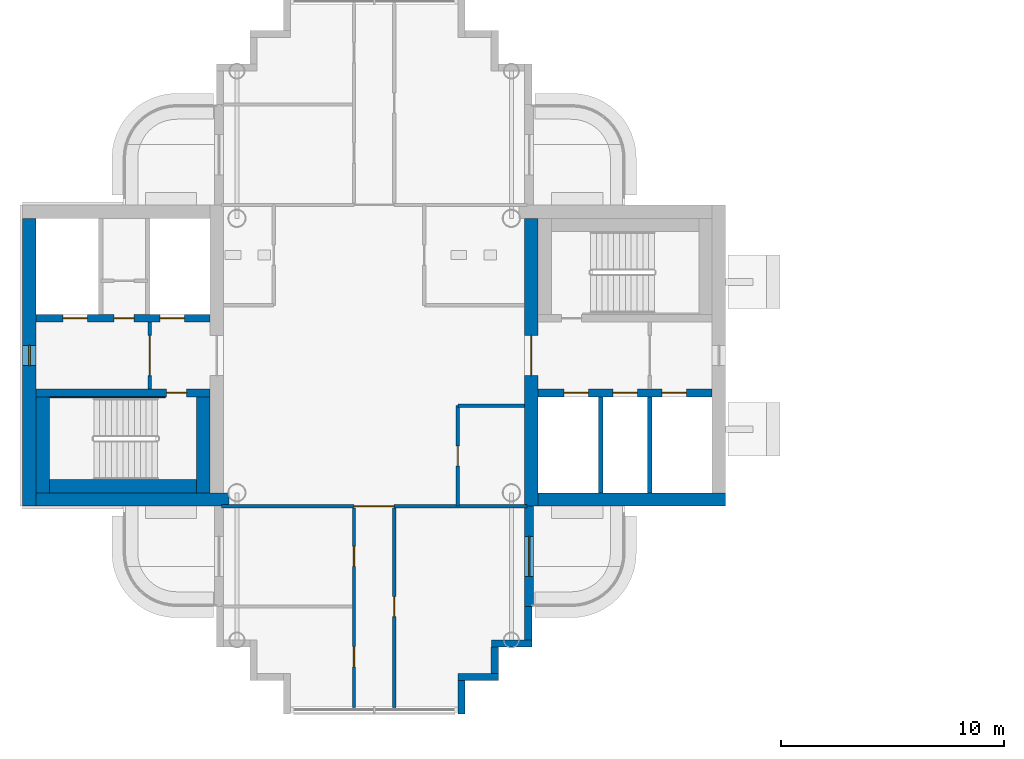
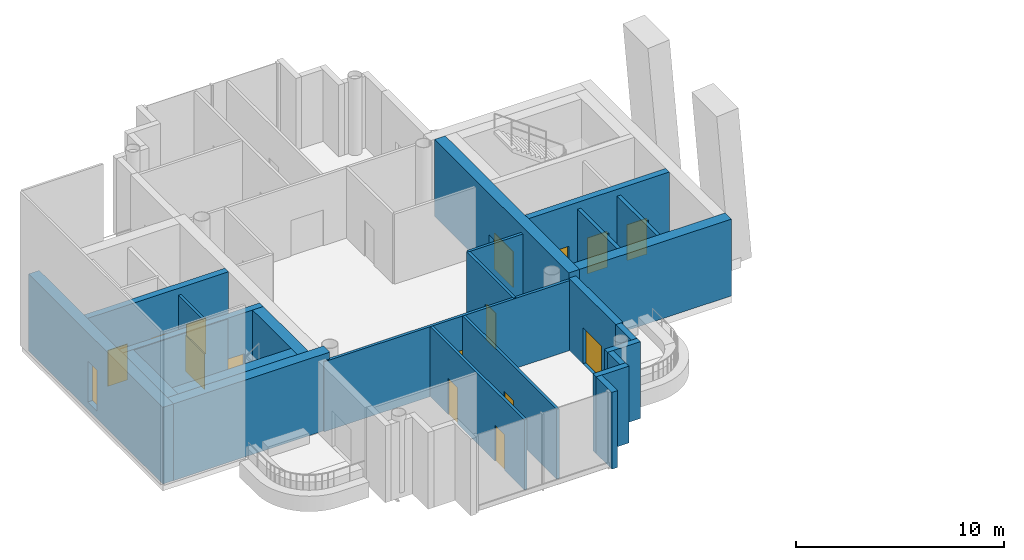
# One storey, part 7 of 19: 25 walls, 15 doors, 1 window, 16 openings.
"""IFC4 building model written with IfcOpenShell, lengths in metres."""

from ifc_helpers import new_model, si_unit, direction, frame, frame_2d, origin, place, context, subcontext, project, spatial, rectangle, extrude, material, layer, layer_set, type_object, element, fill, save


model = new_model("IFC4")

# Units and contexts
model_context = context("Model", 3, precision=1e-05, world=origin(), true_north=direction((0.0, 1.0)))
body_context = subcontext(model_context, "Body", "Model", "MODEL_VIEW")
ifc_project = project(units=[si_unit("LENGTHUNIT", "METRE"), si_unit("AREAUNIT", "SQUARE_METRE"), si_unit("VOLUMEUNIT", "CUBIC_METRE"), si_unit("PLANEANGLEUNIT", "RADIAN"), si_unit("MASSUNIT", "GRAM", prefix="KILO")], contexts=[model_context])

# Site, building, storey
site_placement = place(None, origin())
site = spatial("IfcSite", under=ifc_project, at=site_placement, CompositionType="ELEMENT")
building_placement = place(site_placement, origin())
building = spatial("IfcBuilding", under=site, at=building_placement, Name="Ipe Terrace Towers", CompositionType="ELEMENT")
storey_placement = place(building_placement, frame((0.0, 0.0, 237.89990234375)))
storey = spatial("IfcBuildingStorey", under=building, at=storey_placement, Name="L66", CompositionType="ELEMENT", Elevation=237.89990234375)

# Wall, opening, door
ifc_material_1 = material(Name="Concrete C40/50 with buff precast cladding", Category="concrete")
ifc_layer_1 = layer(ifc_material_1, 0.39990234375)
ifc_layer_set_1 = layer_set([ifc_layer_1], Name="BALCONY BAY WALL 400")
wall_type_1 = type_object("IfcWallType", Name="BALCONY BAY WALL 400", PredefinedType="STANDARD", material=ifc_layer_set_1)
wall_1_placement = place(storey_placement, frame((-29.050048828125, -11.25, -0.02001953125), z_axis=(0.0, 0.0, 1.0), x_axis=(0.0, 1.0, 0.0)))
wall_1 = element("IfcWall", 1, at=wall_1_placement, inside=storey, type_object=wall_type_1, Name="T1-W-L66-14a wall", PredefinedType="STANDARD", context=body_context, shape_type="SweptSolid", body=[
    extrude(rectangle(XDim=4.5, YDim=0.39990234375, at=frame_2d((2.25, 0.0))), origin(), (0.0, 0.0, 1.0), 4.22021484375),
])
opening_1_placement = place(wall_1_placement, frame((1.35009765625, 0.0, 0.02001953125)))
opening_1 = element("IfcOpeningElement", 2, at=opening_1_placement, cuts=wall_1, Name="Opening T1-D-L66-14", PredefinedType="OPENING", context=body_context, shape_type="SweptSolid", body=[
    extrude(rectangle(XDim=1.800048828125, YDim=2.10009765625, at=frame_2d((0.89990234375, 1.050048828125))), frame((0.0, 0.2099609375, 0.0), z_axis=(0.0, -1.0, 0.0), x_axis=(1.0, 0.0, 0.0)), (0.0, 0.0, 1.0), 0.419921875),
])
ifc_material_2 = material(Name="Aluminium alloy 6063-T6 framed glazed door", Category="aluminium")
door_type_1 = type_object("IfcDoorType", Name="BALCONY DOOR 1800 x 2100 LEFT", OperationType="SINGLE_SWING_LEFT", PredefinedType="DOOR", material=ifc_material_2)
door_1_placement = place(opening_1_placement, origin())
door_1 = element("IfcDoor", 3, at=door_1_placement, inside=storey, type_object=door_type_1, Name="DB1 door", OperationType="SINGLE_SWING_LEFT", OverallHeight=2.10009765625, OverallWidth=1.800048828125, PredefinedType="DOOR", context=body_context, shape_type="SweptSolid", body=[
    extrude(rectangle(XDim=1.800048828125, YDim=2.10009765625, at=frame_2d((0.89990234375, 1.050048828125))), frame((0.0, 0.02490234375, 0.0), z_axis=(0.0, -1.0, 0.0), x_axis=(1.0, 0.0, 0.0)), (0.0, 0.0, 1.0), 0.050048828125),
])
fill(opening_1, door_1)

# Walls
ifc_material_3 = material(Name="Concrete C40/50 with buff precast cladding", Category="concrete")
ifc_layer_2 = layer(ifc_material_3, 0.320068359375)
ifc_layer_set_2 = layer_set([ifc_layer_2], Name="BUFF CLADDING WALL 320")
wall_type_2 = type_object("IfcWallType", Name="BUFF CLADDING WALL 320", PredefinedType="STANDARD", material=ifc_layer_set_2)
wall_2_placement = place(storey_placement, frame((-32.090087890625, -16.070068359375, -0.2998046875), z_axis=(0.0, 0.0, 1.0), x_axis=(0.0, 1.0, 0.0)))
element("IfcWall", 4, at=wall_2_placement, inside=storey, type_object=wall_type_2, Name="T1-W-L66-09a wall", PredefinedType="STANDARD", context=body_context, shape_type="SweptSolid", body=[
    extrude(rectangle(XDim=1.5, YDim=0.320068359375, at=frame_2d((0.75, 0.0))), origin(), (0.0, 0.0, 1.0), 4.5),
])
wall_3_placement = place(storey_placement, frame((-32.25, -14.409912109375, -0.2998046875), z_axis=(0.0, 0.0, 1.0), x_axis=(1.0, 0.0, 0.0)))
element("IfcWall", 5, at=wall_3_placement, inside=storey, type_object=wall_type_2, Name="T1-W-L66-10a wall", PredefinedType="STANDARD", context=body_context, shape_type="SweptSolid", body=[
    extrude(rectangle(XDim=1.820068359375, YDim=0.320068359375, at=frame_2d((0.91015625, 0.0))), origin(), (0.0, 0.0, 1.0), 4.5),
])
wall_4_placement = place(storey_placement, frame((-30.590087890625, -14.25, -0.2998046875), z_axis=(0.0, 0.0, 1.0), x_axis=(0.0, 1.0, 0.0)))
element("IfcWall", 6, at=wall_4_placement, inside=storey, type_object=wall_type_2, Name="T1-W-L66-11a wall", PredefinedType="STANDARD", context=body_context, shape_type="SweptSolid", body=[
    extrude(rectangle(XDim=1.179931640625, YDim=0.320068359375, at=frame_2d((0.58984375, 0.0))), origin(), (0.0, 0.0, 1.0), 4.5),
])
wall_5_placement = place(storey_placement, frame((-30.75, -12.909912109375, -0.2998046875), z_axis=(0.0, 0.0, 1.0), x_axis=(1.0, 0.0, 0.0)))
element("IfcWall", 7, at=wall_5_placement, inside=storey, type_object=wall_type_2, Name="T1-W-L66-12a wall", PredefinedType="STANDARD", context=body_context, shape_type="SweptSolid", body=[
    extrude(rectangle(XDim=1.820068359375, YDim=0.320068359375, at=frame_2d((0.91015625, 0.0))), origin(), (0.0, 0.0, 1.0), 4.5),
])
wall_6_placement = place(storey_placement, frame((-29.090087890625, -12.75, -0.2998046875), z_axis=(0.0, 0.0, 1.0), x_axis=(0.0, 1.0, 0.0)))
element("IfcWall", 8, at=wall_6_placement, inside=storey, type_object=wall_type_2, Name="T1-W-L66-13a wall", PredefinedType="STANDARD", context=body_context, shape_type="SweptSolid", body=[
    extrude(rectangle(XDim=1.5, YDim=0.320068359375, at=frame_2d((0.75, 0.0))), origin(), (0.0, 0.0, 1.0), 4.5),
])

# Wall, opening, door
ifc_material_4 = material(Name="Gypsum board partition", Category="plasterboard")
ifc_layer_3 = layer(ifc_material_4, 0.14990234375)
ifc_layer_set_3 = layer_set([ifc_layer_3], Name="Gypsum board partition 150 mm")
wall_type_3 = type_object("IfcWallType", Name="Gypsum board partition 150 mm", PredefinedType="PARTITIONING", material=ifc_layer_set_3)
wall_7_placement = place(storey_placement, frame((-46.050048828125, 1.5, 0.0), z_axis=(0.0, 0.0, 1.0), x_axis=(0.0, -1.0, 0.0)))
wall_7 = element("IfcWall", 9, at=wall_7_placement, inside=storey, type_object=wall_type_3, Name="Gypsum board partition T1 L66 t1c2-lobby-wall", PredefinedType="PARTITIONING", context=body_context, shape_type="SweptSolid", body=[
    extrude(rectangle(XDim=3.0, YDim=0.14990234375, at=frame_2d((1.5, 0.0))), origin(), (0.0, 0.0, 1.0), 4.10009765625),
])
opening_2_placement = place(wall_7_placement, frame((0.60009765625, 0.0, 0.0)))
opening_2 = element("IfcOpeningElement", 10, at=opening_2_placement, cuts=wall_7, Name="Opening T1C2-VD", PredefinedType="OPENING", context=body_context, shape_type="SweptSolid", body=[
    extrude(rectangle(XDim=1.800048828125, YDim=2.10009765625, at=frame_2d((0.89990234375, 1.050048828125))), frame((0.0, 0.0849609375, 0.0), z_axis=(0.0, -1.0, 0.0), x_axis=(1.0, 0.0, 0.0)), (0.0, 0.0, 1.0), 0.169921875),
])
ifc_material_5 = material(Name="Fire-rated timber door leaf", Category="wood")
door_type_2 = type_object("IfcDoorType", Name="Lobby door 1800 x 2100 FD60", OperationType="NOTDEFINED", PredefinedType="DOOR", material=ifc_material_5)
door_2_placement = place(opening_2_placement, origin())
door_2 = element("IfcDoor", 11, at=door_2_placement, inside=storey, type_object=door_type_2, Name="Lobby door T1C2-VD", OperationType="SINGLE_SWING_LEFT", OverallHeight=2.10009765625, OverallWidth=1.800048828125, PredefinedType="DOOR", context=body_context, shape_type="SweptSolid", body=[
    extrude(rectangle(XDim=1.800048828125, YDim=2.10009765625, at=frame_2d((0.89990234375, 1.050048828125))), frame((0.0, 0.02490234375, 0.0), z_axis=(0.0, -1.0, 0.0), x_axis=(1.0, 0.0, 0.0)), (0.0, 0.0, 1.0), 0.050048828125),
])
fill(opening_2, door_2)

wall_8_placement = place(storey_placement, frame((-32.25, -6.75, 0.0), z_axis=(0.0, 0.0, 1.0), x_axis=(0.0, 1.0, 0.0)))
wall_8 = element("IfcWall", 12, at=wall_8_placement, inside=storey, type_object=wall_type_3, Name="Gypsum board partition T1 L66 sp-cse-x", PredefinedType="PARTITIONING", context=body_context, shape_type="SweptSolid", body=[
    extrude(rectangle(XDim=4.5, YDim=0.14990234375, at=frame_2d((2.25, 0.0))), origin(), (0.0, 0.0, 1.0), 4.10009765625),
])
opening_3_placement = place(wall_8_placement, frame((1.800048828125, 0.0, 0.0)))
opening_3 = element("IfcOpeningElement", 13, at=opening_3_placement, cuts=wall_8, Name="Opening T1-SP-CSE", PredefinedType="OPENING", context=body_context, shape_type="SweptSolid", body=[
    extrude(rectangle(XDim=0.89990234375, YDim=2.10009765625, at=frame_2d((0.449951171875, 1.050048828125))), frame((0.0, 0.0849609375, 0.0), z_axis=(0.0, -1.0, 0.0), x_axis=(1.0, 0.0, 0.0)), (0.0, 0.0, 1.0), 0.169921875),
])
ifc_material_6 = material(Name="Timber door leaf", Category="wood")
door_type_3 = type_object("IfcDoorType", Name="Service door 900 x 2100", OperationType="NOTDEFINED", PredefinedType="DOOR", material=ifc_material_6)
door_3_placement = place(opening_3_placement, origin())
door_3 = element("IfcDoor", 14, at=door_3_placement, inside=storey, type_object=door_type_3, Name="Service door T1-SP-CSE", OperationType="SINGLE_SWING_RIGHT", OverallHeight=2.10009765625, OverallWidth=0.89990234375, PredefinedType="DOOR", context=body_context, shape_type="SweptSolid", body=[
    extrude(rectangle(XDim=0.89990234375, YDim=2.10009765625, at=frame_2d((0.449951171875, 1.050048828125))), frame((0.0, 0.02490234375, 0.0), z_axis=(0.0, -1.0, 0.0), x_axis=(1.0, 0.0, 0.0)), (0.0, 0.0, 1.0), 0.050048828125),
])
fill(opening_3, door_3)

# Wall
wall_9_placement = place(storey_placement, frame((-32.25, -2.25, 0.0), z_axis=(0.0, 0.0, 1.0), x_axis=(1.0, 0.0, 0.0)))
element("IfcWall", 15, at=wall_9_placement, inside=storey, type_object=wall_type_3, Name="Gypsum board partition T1 L66 sp-cse-y", PredefinedType="PARTITIONING", context=body_context, shape_type="SweptSolid", body=[
    extrude(rectangle(XDim=3.0, YDim=0.14990234375, at=frame_2d((1.5, 0.0))), origin(), (0.0, 0.0, 1.0), 4.10009765625),
])

# Wall, opening, door
wall_10_placement = place(storey_placement, frame((-42.85009765625, -6.75, 0.0), z_axis=(0.0, 0.0, 1.0), x_axis=(1.0, 0.0, 0.0)))
wall_10 = element("IfcWall", 16, at=wall_10_placement, inside=storey, type_object=wall_type_3, Name="Gypsum board partition T1 L66 sp-Sm-mouth", PredefinedType="PARTITIONING", context=body_context, shape_type="SweptSolid", body=[
    extrude(rectangle(XDim=13.7001953125, YDim=0.14990234375, at=frame_2d((6.85009765625, 0.0))), origin(), (0.0, 0.0, 1.0), 4.10009765625),
])
opening_4_placement = place(wall_10_placement, frame((5.949951171875, 0.0, 0.0)))
opening_4 = element("IfcOpeningElement", 17, at=opening_4_placement, cuts=wall_10, Name="Opening T1-SP-MSm", PredefinedType="OPENING", context=body_context, shape_type="SweptSolid", body=[
    extrude(rectangle(XDim=1.800048828125, YDim=2.10009765625, at=frame_2d((0.89990234375, 1.050048828125))), frame((0.0, 0.0849609375, 0.0), z_axis=(0.0, -1.0, 0.0), x_axis=(1.0, 0.0, 0.0)), (0.0, 0.0, 1.0), 0.169921875),
])
ifc_material_7 = material(Name="Fire-rated timber door leaf", Category="wood")
door_type_4 = type_object("IfcDoorType", Name="Lobby door 1800 x 2100 FD30S", OperationType="NOTDEFINED", PredefinedType="DOOR", material=ifc_material_7)
door_4_placement = place(opening_4_placement, origin())
door_4 = element("IfcDoor", 18, at=door_4_placement, inside=storey, type_object=door_type_4, Name="Lobby door T1-SP-MSm", OperationType="SINGLE_SWING_RIGHT", OverallHeight=2.10009765625, OverallWidth=1.800048828125, PredefinedType="DOOR", context=body_context, shape_type="SweptSolid", body=[
    extrude(rectangle(XDim=1.800048828125, YDim=2.10009765625, at=frame_2d((0.89990234375, 1.050048828125))), frame((0.0, 0.02490234375, 0.0), z_axis=(0.0, -1.0, 0.0), x_axis=(1.0, 0.0, 0.0)), (0.0, 0.0, 1.0), 0.050048828125),
])
fill(opening_4, door_4)

wall_11_placement = place(storey_placement, frame((-35.10009765625, -15.85009765625, 0.0), z_axis=(0.0, 0.0, 1.0), x_axis=(0.0, 1.0, 0.0)))
wall_11 = element("IfcWall", 19, at=wall_11_placement, inside=storey, type_object=wall_type_3, Name="Gypsum board partition T1 L66 sp-Sm-wp", PredefinedType="PARTITIONING", context=body_context, shape_type="SweptSolid", body=[
    extrude(rectangle(XDim=9.025146484375, YDim=0.14990234375, at=frame_2d((4.5126953125, 0.0))), origin(), (0.0, 0.0, 1.0), 4.10009765625),
])
opening_5_placement = place(wall_11_placement, frame((4.14990234375, 0.0, 0.0)))
opening_5 = element("IfcOpeningElement", 20, at=opening_5_placement, cuts=wall_11, Name="Opening T1-SP-PSm1", PredefinedType="OPENING", context=body_context, shape_type="SweptSolid", body=[
    extrude(rectangle(XDim=0.89990234375, YDim=2.10009765625, at=frame_2d((0.449951171875, 1.050048828125))), frame((0.0, 0.0849609375, 0.0), z_axis=(0.0, -1.0, 0.0), x_axis=(1.0, 0.0, 0.0)), (0.0, 0.0, 1.0), 0.169921875),
])
ifc_material_8 = material(Name="Fire-rated timber door leaf", Category="wood")
door_type_5 = type_object("IfcDoorType", Name="Lounge door 900 x 2100 FD30S", OperationType="NOTDEFINED", PredefinedType="DOOR", material=ifc_material_8)
door_5_placement = place(opening_5_placement, origin())
door_5 = element("IfcDoor", 21, at=door_5_placement, inside=storey, type_object=door_type_5, Name="Lounge door T1-SP-PSm1", OperationType="SINGLE_SWING_LEFT", OverallHeight=2.10009765625, OverallWidth=0.89990234375, PredefinedType="DOOR", context=body_context, shape_type="SweptSolid", body=[
    extrude(rectangle(XDim=0.89990234375, YDim=2.10009765625, at=frame_2d((0.449951171875, 1.050048828125))), frame((0.0, 0.02490234375, 0.0), z_axis=(0.0, -1.0, 0.0), x_axis=(1.0, 0.0, 0.0)), (0.0, 0.0, 1.0), 0.050048828125),
])
fill(opening_5, door_5)

# Wall, openings, doors
wall_12_placement = place(storey_placement, frame((-36.89990234375, -15.85009765625, 0.0), z_axis=(0.0, 0.0, 1.0), x_axis=(0.0, 1.0, 0.0)))
wall_12 = element("IfcWall", 22, at=wall_12_placement, inside=storey, type_object=wall_type_3, Name="Gypsum board partition T1 L66 sp-Sm-wm", PredefinedType="PARTITIONING", context=body_context, shape_type="SweptSolid", body=[
    extrude(rectangle(XDim=9.025146484375, YDim=0.14990234375, at=frame_2d((4.5126953125, 0.0))), origin(), (0.0, 0.0, 1.0), 4.10009765625),
])
opening_6_placement = place(wall_12_placement, frame((1.89990234375, 0.0, 0.0)))
opening_6 = element("IfcOpeningElement", 23, at=opening_6_placement, cuts=wall_12, Name="Opening T1-SP-MSm1", PredefinedType="OPENING", context=body_context, shape_type="SweptSolid", body=[
    extrude(rectangle(XDim=0.89990234375, YDim=2.10009765625, at=frame_2d((0.449951171875, 1.050048828125))), frame((0.0, 0.0849609375, 0.0), z_axis=(0.0, -1.0, 0.0), x_axis=(1.0, 0.0, 0.0)), (0.0, 0.0, 1.0), 0.169921875),
])
opening_7_placement = place(wall_12_placement, frame((6.39990234375, 0.0, 0.0)))
opening_7 = element("IfcOpeningElement", 24, at=opening_7_placement, cuts=wall_12, Name="Opening T1-SP-MSm2", PredefinedType="OPENING", context=body_context, shape_type="SweptSolid", body=[
    extrude(rectangle(XDim=0.89990234375, YDim=2.10009765625, at=frame_2d((0.449951171875, 1.050048828125))), frame((0.0, 0.0849609375, 0.0), z_axis=(0.0, -1.0, 0.0), x_axis=(1.0, 0.0, 0.0)), (0.0, 0.0, 1.0), 0.169921875),
])
door_6_placement = place(opening_6_placement, origin())
door_6 = element("IfcDoor", 25, at=door_6_placement, inside=storey, type_object=door_type_5, Name="Lounge door T1-SP-MSm1", OperationType="SINGLE_SWING_RIGHT", OverallHeight=2.10009765625, OverallWidth=0.89990234375, PredefinedType="DOOR", context=body_context, shape_type="SweptSolid", body=[
    extrude(rectangle(XDim=0.89990234375, YDim=2.10009765625, at=frame_2d((0.449951171875, 1.050048828125))), frame((0.0, 0.02490234375, 0.0), z_axis=(0.0, -1.0, 0.0), x_axis=(1.0, 0.0, 0.0)), (0.0, 0.0, 1.0), 0.050048828125),
])
fill(opening_6, door_6)
door_7_placement = place(opening_7_placement, origin())
door_7 = element("IfcDoor", 26, at=door_7_placement, inside=storey, type_object=door_type_5, Name="Lounge door T1-SP-MSm2", OperationType="SINGLE_SWING_LEFT", OverallHeight=2.10009765625, OverallWidth=0.89990234375, PredefinedType="DOOR", context=body_context, shape_type="SweptSolid", body=[
    extrude(rectangle(XDim=0.89990234375, YDim=2.10009765625, at=frame_2d((0.449951171875, 1.050048828125))), frame((0.0, 0.02490234375, 0.0), z_axis=(0.0, -1.0, 0.0), x_axis=(1.0, 0.0, 0.0)), (0.0, 0.0, 1.0), 0.050048828125),
])
fill(opening_7, door_7)

# Walls
ifc_material_9 = material(Name="Gypsum board party wall", Category="plasterboard")
ifc_layer_4 = layer(ifc_material_9, 0.199951171875)
ifc_layer_set_4 = layer_set([ifc_layer_4], Name="Gypsum board party wall 200 mm")
wall_type_4 = type_object("IfcWallType", Name="Gypsum board party wall 200 mm", PredefinedType="SOLIDWALL", material=ifc_layer_set_4)
for number, where, z_axis, x_axis, name in (
    (27, (-25.85009765625, -6.14990234375, 0.0), (0.0, 0.0, 1.0), (0.0, 1.0, 0.0), "Gypsum board party wall T1 L66 t1c1-shaft-div1"),
    (28, (-23.64990234375, -6.14990234375, 0.0), (0.0, 0.0, 1.0), (0.0, 1.0, 0.0), "Gypsum board party wall T1 L66 t1c1-shaft-div2"),
):
    element("IfcWall", number, at=place(storey_placement, frame(where, z_axis=z_axis, x_axis=x_axis)), inside=storey, type_object=wall_type_4, Name=name, PredefinedType="SOLIDWALL", context=body_context, shape_type="SweptSolid", body=[
        extrude(rectangle(XDim=4.2998046875, YDim=0.199951171875, at=frame_2d((2.14990234375, 0.0))), origin(), (0.0, 0.0, 1.0), 4.10009765625),
    ])

# Wall, openings, doors
ifc_material_10 = material(Name="Concrete C40/50", Category="concrete")
ifc_layer_5 = layer(ifc_material_10, 0.35009765625)
ifc_layer_set_5 = layer_set([ifc_layer_5], Name="RW350 CORE SPINE WALL 350 C40-50")
wall_type_5 = type_object("IfcWallType", Name="RW350 CORE SPINE WALL 350 C40-50", PredefinedType="SHEAR", material=ifc_layer_set_5)
wall_13_placement = place(storey_placement, frame((-28.64990234375, -1.675048828125, 0.0), z_axis=(0.0, 0.0, 1.0), x_axis=(1.0, 0.0, 0.0)))
wall_13 = element("IfcWall", 29, at=wall_13_placement, inside=storey, type_object=wall_type_5, Name="Core spine wall T1-C1-Z4-SW1", PredefinedType="SHEAR", context=body_context, shape_type="SweptSolid", body=[
    extrude(rectangle(XDim=7.7998046875, YDim=0.35009765625, at=frame_2d((3.89990234375, 0.0))), origin(), (0.0, 0.0, 1.0), 4.5),
])
opening_8_placement = place(wall_13_placement, frame((1.14990234375, 0.0, 0.0)))
opening_8 = element("IfcOpeningElement", 30, at=opening_8_placement, cuts=wall_13, Name="Opening T1C1-LD1", PredefinedType="OPENING", context=body_context, shape_type="SweptSolid", body=[
    extrude(rectangle(XDim=1.10009765625, YDim=2.10009765625, at=frame_2d((0.550048828125, 1.050048828125))), frame((0.0, 0.18505859375, 0.0), z_axis=(0.0, -1.0, 0.0), x_axis=(1.0, 0.0, 0.0)), (0.0, 0.0, 1.0), 0.3701171875),
])
opening_9_placement = place(wall_13_placement, frame((3.35009765625, 0.0, 0.0)))
opening_9 = element("IfcOpeningElement", 31, at=opening_9_placement, cuts=wall_13, Name="Opening T1C1-LD2", PredefinedType="OPENING", context=body_context, shape_type="SweptSolid", body=[
    extrude(rectangle(XDim=1.10009765625, YDim=2.10009765625, at=frame_2d((0.550048828125, 1.050048828125))), frame((0.0, 0.18505859375, 0.0), z_axis=(0.0, -1.0, 0.0), x_axis=(1.0, 0.0, 0.0)), (0.0, 0.0, 1.0), 0.3701171875),
])
opening_10_placement = place(wall_13_placement, frame((5.550048828125, 0.0, 0.0)))
opening_10 = element("IfcOpeningElement", 32, at=opening_10_placement, cuts=wall_13, Name="Opening T1C1-LD3", PredefinedType="OPENING", context=body_context, shape_type="SweptSolid", body=[
    extrude(rectangle(XDim=1.10009765625, YDim=2.10009765625, at=frame_2d((0.550048828125, 1.050048828125))), frame((0.0, 0.18505859375, 0.0), z_axis=(0.0, -1.0, 0.0), x_axis=(1.0, 0.0, 0.0)), (0.0, 0.0, 1.0), 0.3701171875),
])
ifc_material_11 = material(Name="Fire-rated timber door leaf", Category="wood")
door_type_6 = type_object("IfcDoorType", Name="Sliding door 1100 x 2100 FD60", OperationType="SLIDING_TO_LEFT", PredefinedType="DOOR", material=ifc_material_11)
door_8_placement = place(opening_8_placement, origin())
door_8 = element("IfcDoor", 33, at=door_8_placement, inside=storey, type_object=door_type_6, Name="Sliding door T1C1-LD1", OperationType="SLIDING_TO_LEFT", OverallHeight=2.10009765625, OverallWidth=1.10009765625, PredefinedType="DOOR", context=body_context, shape_type="SweptSolid", body=[
    extrude(rectangle(XDim=1.10009765625, YDim=2.10009765625, at=frame_2d((0.550048828125, 1.050048828125))), frame((0.0, 0.02490234375, 0.0), z_axis=(0.0, -1.0, 0.0), x_axis=(1.0, 0.0, 0.0)), (0.0, 0.0, 1.0), 0.050048828125),
])
fill(opening_8, door_8)
door_9_placement = place(opening_9_placement, origin())
door_9 = element("IfcDoor", 34, at=door_9_placement, inside=storey, type_object=door_type_6, Name="Sliding door T1C1-LD2", OperationType="SLIDING_TO_LEFT", OverallHeight=2.10009765625, OverallWidth=1.10009765625, PredefinedType="DOOR", context=body_context, shape_type="SweptSolid", body=[
    extrude(rectangle(XDim=1.10009765625, YDim=2.10009765625, at=frame_2d((0.550048828125, 1.050048828125))), frame((0.0, 0.02490234375, 0.0), z_axis=(0.0, -1.0, 0.0), x_axis=(1.0, 0.0, 0.0)), (0.0, 0.0, 1.0), 0.050048828125),
])
fill(opening_9, door_9)
door_10_placement = place(opening_10_placement, origin())
door_10 = element("IfcDoor", 35, at=door_10_placement, inside=storey, type_object=door_type_6, Name="Sliding door T1C1-LD3", OperationType="SLIDING_TO_LEFT", OverallHeight=2.10009765625, OverallWidth=1.10009765625, PredefinedType="DOOR", context=body_context, shape_type="SweptSolid", body=[
    extrude(rectangle(XDim=1.10009765625, YDim=2.10009765625, at=frame_2d((0.550048828125, 1.050048828125))), frame((0.0, 0.02490234375, 0.0), z_axis=(0.0, -1.0, 0.0), x_axis=(1.0, 0.0, 0.0)), (0.0, 0.0, 1.0), 0.050048828125),
])
fill(opening_10, door_10)

# Wall, opening, door
wall_14_placement = place(storey_placement, frame((-51.14990234375, -1.675048828125, 0.0), z_axis=(0.0, 0.0, 1.0), x_axis=(1.0, 0.0, 0.0)))
wall_14 = element("IfcWall", 36, at=wall_14_placement, inside=storey, type_object=wall_type_5, Name="Core spine wall T1-C2-Z4-SW1", PredefinedType="SHEAR", context=body_context, shape_type="SweptSolid", body=[
    extrude(rectangle(XDim=7.7998046875, YDim=0.35009765625, at=frame_2d((3.89990234375, 0.0))), origin(), (0.0, 0.0, 1.0), 4.5),
])
opening_11_placement = place(wall_14_placement, frame((5.85009765625, 0.0, 0.0)))
opening_11 = element("IfcOpeningElement", 37, at=opening_11_placement, cuts=wall_14, Name="Opening T1C2-SD", PredefinedType="OPENING", context=body_context, shape_type="SweptSolid", body=[
    extrude(rectangle(XDim=0.89990234375, YDim=2.10009765625, at=frame_2d((0.449951171875, 1.050048828125))), frame((0.0, 0.18505859375, 0.0), z_axis=(0.0, -1.0, 0.0), x_axis=(1.0, 0.0, 0.0)), (0.0, 0.0, 1.0), 0.3701171875),
])
ifc_material_12 = material(Name="Fire-rated timber door leaf", Category="wood")
door_type_7 = type_object("IfcDoorType", Name="Stair door 900 x 2100 FD60", OperationType="NOTDEFINED", PredefinedType="DOOR", material=ifc_material_12)
door_11_placement = place(opening_11_placement, origin())
door_11 = element("IfcDoor", 38, at=door_11_placement, inside=storey, type_object=door_type_7, Name="Stair door T1C2-SD", OperationType="SINGLE_SWING_RIGHT", OverallHeight=2.10009765625, OverallWidth=0.89990234375, PredefinedType="DOOR", context=body_context, shape_type="SweptSolid", body=[
    extrude(rectangle(XDim=0.89990234375, YDim=2.10009765625, at=frame_2d((0.449951171875, 1.050048828125))), frame((0.0, 0.02490234375, 0.0), z_axis=(0.0, -1.0, 0.0), x_axis=(1.0, 0.0, 0.0)), (0.0, 0.0, 1.0), 0.050048828125),
])
fill(opening_11, door_11)

# Wall, openings, doors
wall_15_placement = place(storey_placement, frame((-51.14990234375, 1.675048828125, 0.0), z_axis=(0.0, 0.0, 1.0), x_axis=(1.0, 0.0, 0.0)))
wall_15 = element("IfcWall", 39, at=wall_15_placement, inside=storey, type_object=wall_type_5, Name="Core spine wall T1-C2-Z4-SW2", PredefinedType="SHEAR", context=body_context, shape_type="SweptSolid", body=[
    extrude(rectangle(XDim=7.7998046875, YDim=0.35009765625, at=frame_2d((3.89990234375, 0.0))), origin(), (0.0, 0.0, 1.0), 4.5),
])
opening_12_placement = place(wall_15_placement, frame((5.550048828125, 0.0, 0.0)))
opening_12 = element("IfcOpeningElement", 40, at=opening_12_placement, cuts=wall_15, Name="Opening T1C2-LD1", PredefinedType="OPENING", context=body_context, shape_type="SweptSolid", body=[
    extrude(rectangle(XDim=1.10009765625, YDim=2.10009765625, at=frame_2d((0.550048828125, 1.050048828125))), frame((0.0, 0.18505859375, 0.0), z_axis=(0.0, -1.0, 0.0), x_axis=(1.0, 0.0, 0.0)), (0.0, 0.0, 1.0), 0.3701171875),
])
opening_13_placement = place(wall_15_placement, frame((1.199951171875, 0.0, 0.0)))
opening_13 = element("IfcOpeningElement", 41, at=opening_13_placement, cuts=wall_15, Name="Opening T1C2-LD3", PredefinedType="OPENING", context=body_context, shape_type="SweptSolid", body=[
    extrude(rectangle(XDim=1.10009765625, YDim=2.10009765625, at=frame_2d((0.550048828125, 1.050048828125))), frame((0.0, 0.18505859375, 0.0), z_axis=(0.0, -1.0, 0.0), x_axis=(1.0, 0.0, 0.0)), (0.0, 0.0, 1.0), 0.3701171875),
])
opening_14_placement = place(wall_15_placement, frame((3.5, 0.0, 0.0)))
opening_14 = element("IfcOpeningElement", 42, at=opening_14_placement, cuts=wall_15, Name="Opening T1C2-R1-NR", PredefinedType="OPENING", context=body_context, shape_type="SweptSolid", body=[
    extrude(rectangle(XDim=0.89990234375, YDim=2.10009765625, at=frame_2d((0.449951171875, 1.050048828125))), frame((0.0, 0.18505859375, 0.0), z_axis=(0.0, -1.0, 0.0), x_axis=(1.0, 0.0, 0.0)), (0.0, 0.0, 1.0), 0.3701171875),
])
door_12_placement = place(opening_12_placement, origin())
door_12 = element("IfcDoor", 43, at=door_12_placement, inside=storey, type_object=door_type_6, Name="Sliding door T1C2-LD1", OperationType="SLIDING_TO_LEFT", OverallHeight=2.10009765625, OverallWidth=1.10009765625, PredefinedType="DOOR", context=body_context, shape_type="SweptSolid", body=[
    extrude(rectangle(XDim=1.10009765625, YDim=2.10009765625, at=frame_2d((0.550048828125, 1.050048828125))), frame((0.0, 0.02490234375, 0.0), z_axis=(0.0, -1.0, 0.0), x_axis=(1.0, 0.0, 0.0)), (0.0, 0.0, 1.0), 0.050048828125),
])
fill(opening_12, door_12)
door_13_placement = place(opening_13_placement, origin())
door_13 = element("IfcDoor", 44, at=door_13_placement, inside=storey, type_object=door_type_6, Name="Sliding door T1C2-LD3", OperationType="SLIDING_TO_LEFT", OverallHeight=2.10009765625, OverallWidth=1.10009765625, PredefinedType="DOOR", context=body_context, shape_type="SweptSolid", body=[
    extrude(rectangle(XDim=1.10009765625, YDim=2.10009765625, at=frame_2d((0.550048828125, 1.050048828125))), frame((0.0, 0.02490234375, 0.0), z_axis=(0.0, -1.0, 0.0), x_axis=(1.0, 0.0, 0.0)), (0.0, 0.0, 1.0), 0.050048828125),
])
fill(opening_13, door_13)
ifc_material_13 = material(Name="Timber door leaf", Category="wood")
door_type_8 = type_object("IfcDoorType", Name="Store door 900 x 2100", OperationType="NOTDEFINED", PredefinedType="DOOR", material=ifc_material_13)
door_14_placement = place(opening_14_placement, origin())
door_14 = element("IfcDoor", 45, at=door_14_placement, inside=storey, type_object=door_type_8, Name="Store door T1C2-R1-NR", OperationType="SINGLE_SWING_LEFT", OverallHeight=2.10009765625, OverallWidth=0.89990234375, PredefinedType="DOOR", context=body_context, shape_type="SweptSolid", body=[
    extrude(rectangle(XDim=0.89990234375, YDim=2.10009765625, at=frame_2d((0.449951171875, 1.050048828125))), frame((0.0, 0.02490234375, 0.0), z_axis=(0.0, -1.0, 0.0), x_axis=(1.0, 0.0, 0.0)), (0.0, 0.0, 1.0), 0.050048828125),
])
fill(opening_14, door_14)

# Walls
ifc_material_14 = material(Name="Concrete C40/50", Category="concrete")
ifc_layer_6 = layer(ifc_material_14, 0.050048828125)
ifc_layer_set_6 = layer_set([ifc_layer_6], Name="RW50 CORE INFILL WALL 50 C40-50")
wall_type_6 = type_object("IfcWallType", Name="RW50 CORE INFILL WALL 50 C40-50", PredefinedType="SHEAR", material=ifc_layer_set_6)
wall_16_placement = place(storey_placement, frame((-45.35009765625, -1.875, 0.0), z_axis=(0.0, 0.0, 1.0), x_axis=(-1.0, 0.0, 0.0)))
element("IfcWall", 46, at=wall_16_placement, inside=storey, type_object=wall_type_6, Name="Core infill wall T1-C2-spine-b", PredefinedType="SHEAR", context=body_context, shape_type="SweptSolid", body=[
    extrude(rectangle(XDim=5.199951171875, YDim=0.050048828125, at=frame_2d((2.60009765625, 0.0))), origin(), (0.0, 0.0, 1.0), 4.5),
])
ifc_material_15 = material(Name="Concrete C40/50", Category="concrete")
ifc_layer_7 = layer(ifc_material_15, 0.60009765625)
ifc_layer_set_7 = layer_set([ifc_layer_7], Name="RW600 CORE INFILL WALL 600 C40-50")
wall_type_7 = type_object("IfcWallType", Name="RW600 CORE INFILL WALL 600 C40-50", PredefinedType="SHEAR", material=ifc_layer_set_7)
wall_17_placement = place(storey_placement, frame((-50.85009765625, -1.85009765625, 0.0), z_axis=(0.0, 0.0, 1.0), x_axis=(0.0, -1.0, 0.0)))
element("IfcWall", 47, at=wall_17_placement, inside=storey, type_object=wall_type_7, Name="Core infill wall T1-C2-far", PredefinedType="SHEAR", context=body_context, shape_type="SweptSolid", body=[
    extrude(rectangle(XDim=4.2998046875, YDim=0.60009765625, at=frame_2d((2.14990234375, 0.0))), origin(), (0.0, 0.0, 1.0), 4.5),
])
wall_18_placement = place(storey_placement, frame((-43.949951171875, -5.85009765625, 0.0), z_axis=(0.0, 0.0, 1.0), x_axis=(-1.0, 0.0, 0.0)))
element("IfcWall", 48, at=wall_18_placement, inside=storey, type_object=wall_type_7, Name="Core infill wall T1-C2-back", PredefinedType="SHEAR", context=body_context, shape_type="SweptSolid", body=[
    extrude(rectangle(XDim=6.60009765625, YDim=0.60009765625, at=frame_2d((3.300048828125, 0.0))), origin(), (0.0, 0.0, 1.0), 4.5),
])
wall_19_placement = place(storey_placement, frame((-43.64990234375, -1.85009765625, 0.0), z_axis=(0.0, 0.0, 1.0), x_axis=(0.0, -1.0, 0.0)))
element("IfcWall", 49, at=wall_19_placement, inside=storey, type_object=wall_type_7, Name="Core infill wall T1-C2-near", PredefinedType="SHEAR", context=body_context, shape_type="SweptSolid", body=[
    extrude(rectangle(XDim=4.2998046875, YDim=0.60009765625, at=frame_2d((2.14990234375, 0.0))), origin(), (0.0, 0.0, 1.0), 4.5),
])
ifc_material_16 = material(Name="Concrete C40/50", Category="concrete")
ifc_layer_8 = layer(ifc_material_16, 0.60009765625)
ifc_layer_set_8 = layer_set([ifc_layer_8], Name="RW600 CORE WALL 600 C40-50")
wall_type_8 = type_object("IfcWallType", Name="RW600 CORE WALL 600 C40-50", PredefinedType="SHEAR", material=ifc_layer_set_8)
wall_20_placement = place(storey_placement, frame((-28.64990234375, -6.449951171875, 0.0), z_axis=(0.0, 0.0, 1.0), x_axis=(1.0, 0.0, 0.0)))
element("IfcWall", 50, at=wall_20_placement, inside=storey, type_object=wall_type_8, Name="Core wall T1-C1-Z4-W01", PredefinedType="SHEAR", context=body_context, shape_type="SweptSolid", body=[
    extrude(rectangle(XDim=8.39990234375, YDim=0.60009765625, at=frame_2d((4.199951171875, 0.0))), origin(), (0.0, 0.0, 1.0), 4.5),
])

# Wall, opening, door
wall_21_placement = place(storey_placement, frame((-28.949951171875, 6.14990234375, 0.0), z_axis=(0.0, 0.0, 1.0), x_axis=(0.0, -1.0, 0.0)))
wall_21 = element("IfcWall", 51, at=wall_21_placement, inside=storey, type_object=wall_type_8, Name="Core wall T1-C1-Z4-W04", PredefinedType="SHEAR", context=body_context, shape_type="SweptSolid", body=[
    extrude(rectangle(XDim=12.89990234375, YDim=0.60009765625, at=frame_2d((6.449951171875, 0.0))), origin(), (0.0, 0.0, 1.0), 4.5),
])
opening_15_placement = place(wall_21_placement, frame((5.25, 0.0, 0.0)))
opening_15 = element("IfcOpeningElement", 52, at=opening_15_placement, cuts=wall_21, Name="Opening T1C1-ND", PredefinedType="OPENING", context=body_context, shape_type="SweptSolid", body=[
    extrude(rectangle(XDim=1.800048828125, YDim=2.10009765625, at=frame_2d((0.89990234375, 1.050048828125))), frame((0.0, 0.31005859375, 0.0), z_axis=(0.0, -1.0, 0.0), x_axis=(1.0, 0.0, 0.0)), (0.0, 0.0, 1.0), 0.6201171875),
])
ifc_material_17 = material(Name="Fire-rated timber door leaf", Category="wood")
door_type_9 = type_object("IfcDoorType", Name="Fire door 1800 x 2100 FD30S", OperationType="NOTDEFINED", PredefinedType="DOOR", material=ifc_material_17)
door_15_placement = place(opening_15_placement, origin())
door_15 = element("IfcDoor", 53, at=door_15_placement, inside=storey, type_object=door_type_9, Name="Fire door T1C1-ND", OperationType="SINGLE_SWING_LEFT", OverallHeight=2.10009765625, OverallWidth=1.800048828125, PredefinedType="DOOR", context=body_context, shape_type="SweptSolid", body=[
    extrude(rectangle(XDim=1.800048828125, YDim=2.10009765625, at=frame_2d((0.89990234375, 1.050048828125))), frame((0.0, 0.02490234375, 0.0), z_axis=(0.0, -1.0, 0.0), x_axis=(1.0, 0.0, 0.0)), (0.0, 0.0, 1.0), 0.050048828125),
])
fill(opening_15, door_15)

# Wall
wall_22_placement = place(storey_placement, frame((-51.14990234375, -6.449951171875, 0.0), z_axis=(0.0, 0.0, 1.0), x_axis=(1.0, 0.0, 0.0)))
element("IfcWall", 54, at=wall_22_placement, inside=storey, type_object=wall_type_8, Name="Core wall T1-C2-Z4-W01", PredefinedType="SHEAR", context=body_context, shape_type="SweptSolid", body=[
    extrude(rectangle(XDim=8.64794921875, YDim=0.60009765625, at=frame_2d((4.323974609375, 0.0))), origin(), (0.0, 0.0, 1.0), 4.5),
])

# Wall, opening, window
wall_23_placement = place(storey_placement, frame((-51.449951171875, 6.14990234375, 0.0), z_axis=(0.0, 0.0, 1.0), x_axis=(0.0, -1.0, 0.0)))
wall_23 = element("IfcWall", 55, at=wall_23_placement, inside=storey, type_object=wall_type_8, Name="Core wall T1-C2-Z4-W04", PredefinedType="SHEAR", context=body_context, shape_type="SweptSolid", body=[
    extrude(rectangle(XDim=12.89990234375, YDim=0.60009765625, at=frame_2d((6.449951171875, 0.0))), origin(), (0.0, 0.0, 1.0), 4.5),
])
opening_16_placement = place(wall_23_placement, frame((5.699951171875, 0.0, 0.449951171875)))
opening_16 = element("IfcOpeningElement", 56, at=opening_16_placement, cuts=wall_23, Name="Opening T1-C2-W-01-L66", PredefinedType="OPENING", context=body_context, shape_type="SweptSolid", body=[
    extrude(rectangle(XDim=0.89990234375, YDim=2.39990234375, at=frame_2d((0.449951171875, 1.199951171875))), frame((0.0, 0.31005859375, 0.0), z_axis=(0.0, -1.0, 0.0), x_axis=(1.0, 0.0, 0.0)), (0.0, 0.0, 1.0), 0.6201171875),
])
ifc_material_18 = material(Name="Fire-resistant glazing EI 60", Category="glass")
window_type = type_object("IfcWindowType", Name="CORRIDOR END SLOT WINDOW 900 x 2400 EI 60", PartitioningType="SINGLE_PANEL", PredefinedType="WINDOW", material=ifc_material_18)
window_placement = place(opening_16_placement, origin())
window = element("IfcWindow", 57, at=window_placement, inside=storey, type_object=window_type, Name="W-01 window", OverallHeight=2.39990234375, OverallWidth=0.89990234375, PartitioningType="SINGLE_PANEL", PredefinedType="WINDOW", context=body_context, shape_type="SweptSolid", body=[
    extrude(rectangle(XDim=0.89990234375, YDim=2.39990234375, at=frame_2d((0.449951171875, 1.199951171875))), frame((0.0, 0.030029296875, 0.0), z_axis=(0.0, -1.0, 0.0), x_axis=(1.0, 0.0, 0.0)), (0.0, 0.0, 1.0), 0.06005859375),
])
fill(opening_16, window)

save(model, "model.ifc")
